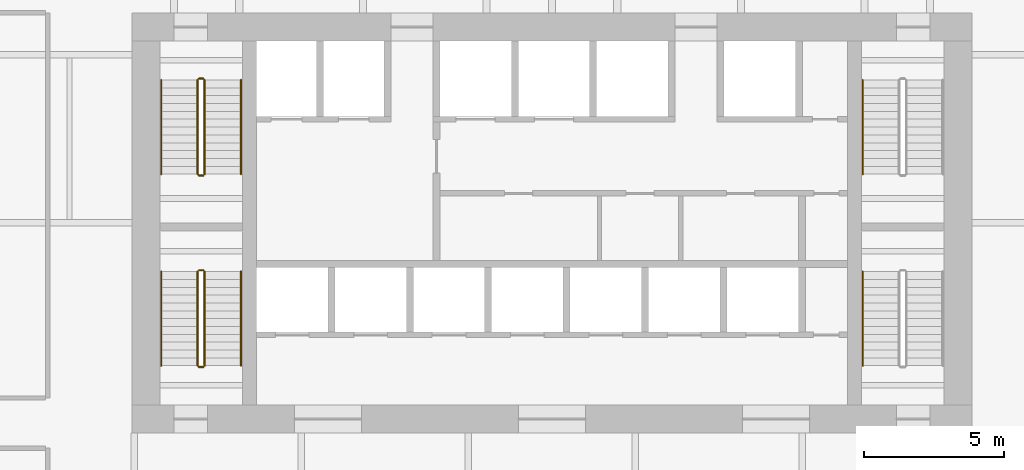
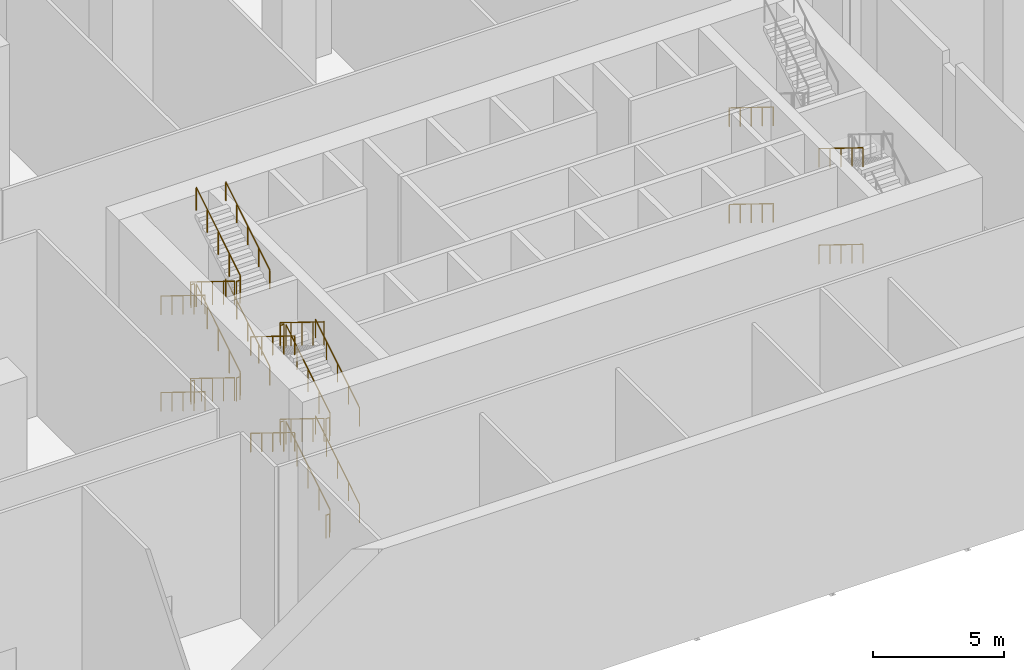
# One storey, part 20 of 23: 28 railings.
"""IFC4 building model written with IfcOpenShell, lengths in metres."""

from ifc_helpers import new_model, si_unit, direction, frame, origin, origin_2d, place, context, subcontext, project, spatial, circle, extrude, material, type_object, element, save


model = new_model("IFC4")

# Units and contexts
model_context = context("Model", 3, precision=1e-05, world=origin(), true_north=direction((0.0, 1.0)))
body_context = subcontext(model_context, "Body", "Model", "MODEL_VIEW")
ifc_project = project(units=[si_unit("LENGTHUNIT", "METRE"), si_unit("AREAUNIT", "SQUARE_METRE"), si_unit("VOLUMEUNIT", "CUBIC_METRE"), si_unit("PLANEANGLEUNIT", "RADIAN"), si_unit("MASSUNIT", "GRAM", prefix="KILO")], contexts=[model_context])

# Site, building, storey
site_placement = place(None, origin())
site = spatial("IfcSite", under=ifc_project, at=site_placement, CompositionType="ELEMENT")
building_placement = place(site_placement, origin())
building = spatial("IfcBuilding", under=site, at=building_placement, Name="Isthmus Gate Tower", CompositionType="ELEMENT")
storey_placement = place(building_placement, frame((0.0, 0.0, 9.0)))
storey = spatial("IfcBuildingStorey", under=building, at=storey_placement, Name="L01", CompositionType="ELEMENT", Elevation=9.0)

# Railings
ifc_material_1 = material(Name="Stainless steel balustrade", Category="steel")
railing_type_1 = type_object("IfcRailingType", Name="STAIR GUARD 1100", PredefinedType="GUARDRAIL", material=ifc_material_1)
railing_1_placement = place(storey_placement, frame((-12.64990234375, 12.60009765625, 0.173095703125)))
element("IfcRailing", 1, at=railing_1_placement, inside=storey, type_object=railing_type_1, Name="L01 ST1 stair guard 1", PredefinedType="GUARDRAIL", context=body_context, shape_type="SweptSolid", body=[
    extrude(circle(Radius=0.02392578125, at=origin_2d()), frame((0.0, 0.0, 1.076171875), z_axis=(0.0, -0.850623216509, 0.525775754039), x_axis=(1.0, 0.0, 0.0)), (0.0, 0.0, 1.0), 3.9501953125),
    extrude(circle(Radius=0.02099609375, at=origin_2d()), origin(), (0.0, 0.0, 1.0), 1.052001953125),
    extrude(circle(Radius=0.02099609375, at=origin_2d()), frame((0.0, -0.840087890625, 0.519287109375)), (0.0, 0.0, 1.0), 1.052001953125),
    extrude(circle(Radius=0.02099609375, at=origin_2d()), frame((0.0, -1.68017578125, 1.03857421875)), (0.0, 0.0, 1.0), 1.052001953125),
    extrude(circle(Radius=0.02099609375, at=origin_2d()), frame((0.0, -2.52001953125, 1.5576171875)), (0.0, 0.0, 1.0), 1.052001953125),
    extrude(circle(Radius=0.02099609375, at=origin_2d()), frame((0.0, -3.360107421875, 2.076904296875)), (0.0, 0.0, 1.0), 1.052001953125),
])
railing_2_placement = place(storey_placement, frame((-12.60009765625, 9.18994140625, 2.25)))
element("IfcRailing", 2, at=railing_2_placement, inside=storey, type_object=railing_type_1, Name="L01 ST1 stair guard 2", PredefinedType="GUARDRAIL", context=body_context, shape_type="SweptSolid", body=[
    extrude(circle(Radius=0.02392578125, at=origin_2d()), frame((0.0, 0.0, 1.076171875), z_axis=(1.0, 0.0, 0.0), x_axis=(0.0, 1.0, 0.0)), (0.0, 0.0, 1.0), 0.150146484375),
    extrude(circle(Radius=0.02099609375, at=origin_2d()), origin(), (0.0, 0.0, 1.0), 1.052001953125),
    extrude(circle(Radius=0.02099609375, at=origin_2d()), frame((0.150146484375, 0.0, 0.0)), (0.0, 0.0, 1.0), 1.052001953125),
])
railing_3_placement = place(storey_placement, frame((-12.39990234375, 9.239990234375, 2.423095703125)))
element("IfcRailing", 3, at=railing_3_placement, inside=storey, type_object=railing_type_1, Name="L01 ST1 stair guard 3", PredefinedType="GUARDRAIL", context=body_context, shape_type="SweptSolid", body=[
    extrude(circle(Radius=0.02392578125, at=origin_2d()), frame((0.0, 0.0, 1.076171875), z_axis=(0.0, 0.850623216509, 0.525775754039), x_axis=(-1.0, 0.0, 0.0)), (0.0, 0.0, 1.0), 3.9501953125),
    extrude(circle(Radius=0.02099609375, at=origin_2d()), origin(), (0.0, 0.0, 1.0), 1.052001953125),
    extrude(circle(Radius=0.02099609375, at=origin_2d()), frame((0.0, 0.840087890625, 0.519287109375)), (0.0, 0.0, 1.0), 1.052001953125),
    extrude(circle(Radius=0.02099609375, at=origin_2d()), frame((0.0, 1.68017578125, 1.03857421875)), (0.0, 0.0, 1.0), 1.052001953125),
    extrude(circle(Radius=0.02099609375, at=origin_2d()), frame((0.0, 2.52001953125, 1.5576171875)), (0.0, 0.0, 1.0), 1.052001953125),
    extrude(circle(Radius=0.02099609375, at=origin_2d()), frame((0.0, 3.360107421875, 2.076904296875)), (0.0, 0.0, 1.0), 1.052001953125),
])
railing_4_placement = place(storey_placement, frame((-12.60009765625, 12.64990234375, 4.5)))
element("IfcRailing", 4, at=railing_4_placement, inside=storey, type_object=railing_type_1, Name="L01 ST1 stair guard 4", PredefinedType="GUARDRAIL", context=body_context, shape_type="SweptSolid", body=[
    extrude(circle(Radius=0.02392578125, at=origin_2d()), frame((0.0, 0.0, 1.076171875), z_axis=(1.0, 0.0, 0.0), x_axis=(0.0, 1.0, 0.0)), (0.0, 0.0, 1.0), 0.150146484375),
    extrude(circle(Radius=0.02099609375, at=origin_2d()), origin(), (0.0, 0.0, 1.0), 1.052001953125),
    extrude(circle(Radius=0.02099609375, at=origin_2d()), frame((0.150146484375, 0.0, 0.0)), (0.0, 0.0, 1.0), 1.052001953125),
])
railing_5_placement = place(storey_placement, frame((-12.64990234375, 12.60009765625, 4.673095703125)))
element("IfcRailing", 5, at=railing_5_placement, inside=storey, type_object=railing_type_1, Name="L01 ST1 stair guard 5", PredefinedType="GUARDRAIL", context=body_context, shape_type="SweptSolid", body=[
    extrude(circle(Radius=0.02392578125, at=origin_2d()), frame((0.0, 0.0, 1.076171875), z_axis=(0.0, -0.850623216509, 0.525775754039), x_axis=(1.0, 0.0, 0.0)), (0.0, 0.0, 1.0), 3.9501953125),
    extrude(circle(Radius=0.02099609375, at=origin_2d()), origin(), (0.0, 0.0, 1.0), 1.052001953125),
    extrude(circle(Radius=0.02099609375, at=origin_2d()), frame((0.0, -0.840087890625, 0.519287109375)), (0.0, 0.0, 1.0), 1.052001953125),
    extrude(circle(Radius=0.02099609375, at=origin_2d()), frame((0.0, -1.68017578125, 1.03857421875)), (0.0, 0.0, 1.0), 1.052001953125),
    extrude(circle(Radius=0.02099609375, at=origin_2d()), frame((0.0, -2.52001953125, 1.5576171875)), (0.0, 0.0, 1.0), 1.052001953125),
    extrude(circle(Radius=0.02099609375, at=origin_2d()), frame((0.0, -3.360107421875, 2.076904296875)), (0.0, 0.0, 1.0), 1.052001953125),
])
railing_6_placement = place(storey_placement, frame((-12.60009765625, 9.18994140625, 6.75)))
element("IfcRailing", 6, at=railing_6_placement, inside=storey, type_object=railing_type_1, Name="L01 ST1 stair guard 6", PredefinedType="GUARDRAIL", context=body_context, shape_type="SweptSolid", body=[
    extrude(circle(Radius=0.02392578125, at=origin_2d()), frame((0.0, 0.0, 1.076171875), z_axis=(1.0, 0.0, 0.0), x_axis=(0.0, 1.0, 0.0)), (0.0, 0.0, 1.0), 0.150146484375),
    extrude(circle(Radius=0.02099609375, at=origin_2d()), origin(), (0.0, 0.0, 1.0), 1.052001953125),
    extrude(circle(Radius=0.02099609375, at=origin_2d()), frame((0.150146484375, 0.0, 0.0)), (0.0, 0.0, 1.0), 1.052001953125),
])
railing_7_placement = place(storey_placement, frame((-12.39990234375, 9.239990234375, 6.923095703125)))
element("IfcRailing", 7, at=railing_7_placement, inside=storey, type_object=railing_type_1, Name="L01 ST1 stair guard 7", PredefinedType="GUARDRAIL", context=body_context, shape_type="SweptSolid", body=[
    extrude(circle(Radius=0.02392578125, at=origin_2d()), frame((0.0, 0.0, 1.076171875), z_axis=(0.0, 0.850623216509, 0.525775754039), x_axis=(-1.0, 0.0, 0.0)), (0.0, 0.0, 1.0), 3.9501953125),
    extrude(circle(Radius=0.02099609375, at=origin_2d()), origin(), (0.0, 0.0, 1.0), 1.052001953125),
    extrude(circle(Radius=0.02099609375, at=origin_2d()), frame((0.0, 0.840087890625, 0.519287109375)), (0.0, 0.0, 1.0), 1.052001953125),
    extrude(circle(Radius=0.02099609375, at=origin_2d()), frame((0.0, 1.68017578125, 1.03857421875)), (0.0, 0.0, 1.0), 1.052001953125),
    extrude(circle(Radius=0.02099609375, at=origin_2d()), frame((0.0, 2.52001953125, 1.5576171875)), (0.0, 0.0, 1.0), 1.052001953125),
    extrude(circle(Radius=0.02099609375, at=origin_2d()), frame((0.0, 3.360107421875, 2.076904296875)), (0.0, 0.0, 1.0), 1.052001953125),
])
railing_8_placement = place(storey_placement, frame((-12.60009765625, 12.64990234375, 0.0)))
element("IfcRailing", 8, at=railing_8_placement, inside=storey, type_object=railing_type_1, Name="L01 ST1 stair guard 8", PredefinedType="GUARDRAIL", context=body_context, shape_type="SweptSolid", body=[
    extrude(circle(Radius=0.02392578125, at=origin_2d()), frame((0.0, 0.0, 1.076171875), z_axis=(1.0, 0.0, 0.0), x_axis=(0.0, 1.0, 0.0)), (0.0, 0.0, 1.0), 0.150146484375),
    extrude(circle(Radius=0.02099609375, at=origin_2d()), origin(), (0.0, 0.0, 1.0), 1.052001953125),
    extrude(circle(Radius=0.02099609375, at=origin_2d()), frame((0.150146484375, 0.0, 0.0)), (0.0, 0.0, 1.0), 1.052001953125),
])
railing_9_placement = place(storey_placement, frame((-12.39990234375, 2.39990234375, 0.173095703125)))
element("IfcRailing", 9, at=railing_9_placement, inside=storey, type_object=railing_type_1, Name="L01 ST7 stair guard 1", PredefinedType="GUARDRAIL", context=body_context, shape_type="SweptSolid", body=[
    extrude(circle(Radius=0.02392578125, at=origin_2d()), frame((0.0, 0.0, 1.076171875), z_axis=(0.0, 0.850623216509, 0.525775754039), x_axis=(-1.0, 0.0, 0.0)), (0.0, 0.0, 1.0), 3.9501953125),
    extrude(circle(Radius=0.02099609375, at=origin_2d()), origin(), (0.0, 0.0, 1.0), 1.052001953125),
    extrude(circle(Radius=0.02099609375, at=origin_2d()), frame((0.0, 0.840087890625, 0.519287109375)), (0.0, 0.0, 1.0), 1.052001953125),
    extrude(circle(Radius=0.02099609375, at=origin_2d()), frame((0.0, 1.68017578125, 1.03857421875)), (0.0, 0.0, 1.0), 1.052001953125),
    extrude(circle(Radius=0.02099609375, at=origin_2d()), frame((0.0, 2.52001953125, 1.5576171875)), (0.0, 0.0, 1.0), 1.052001953125),
    extrude(circle(Radius=0.02099609375, at=origin_2d()), frame((0.0, 3.360107421875, 2.076904296875)), (0.0, 0.0, 1.0), 1.052001953125),
])
railing_10_placement = place(storey_placement, frame((-12.449951171875, 5.81005859375, 2.25)))
element("IfcRailing", 10, at=railing_10_placement, inside=storey, type_object=railing_type_1, Name="L01 ST7 stair guard 2", PredefinedType="GUARDRAIL", context=body_context, shape_type="SweptSolid", body=[
    extrude(circle(Radius=0.02392578125, at=origin_2d()), frame((0.0, 0.0, 1.076171875), z_axis=(-1.0, 0.0, 0.0), x_axis=(0.0, -1.0, 0.0)), (0.0, 0.0, 1.0), 0.150146484375),
    extrude(circle(Radius=0.02099609375, at=origin_2d()), origin(), (0.0, 0.0, 1.0), 1.052001953125),
    extrude(circle(Radius=0.02099609375, at=origin_2d()), frame((-0.150146484375, 0.0, 0.0)), (0.0, 0.0, 1.0), 1.052001953125),
])
railing_11_placement = place(storey_placement, frame((-12.64990234375, 5.760009765625, 2.423095703125)))
element("IfcRailing", 11, at=railing_11_placement, inside=storey, type_object=railing_type_1, Name="L01 ST7 stair guard 3", PredefinedType="GUARDRAIL", context=body_context, shape_type="SweptSolid", body=[
    extrude(circle(Radius=0.02392578125, at=origin_2d()), frame((0.0, 0.0, 1.076171875), z_axis=(0.0, -0.850623216509, 0.525775754039), x_axis=(1.0, 0.0, 0.0)), (0.0, 0.0, 1.0), 3.9501953125),
    extrude(circle(Radius=0.02099609375, at=origin_2d()), origin(), (0.0, 0.0, 1.0), 1.052001953125),
    extrude(circle(Radius=0.02099609375, at=origin_2d()), frame((0.0, -0.840087890625, 0.519287109375)), (0.0, 0.0, 1.0), 1.052001953125),
    extrude(circle(Radius=0.02099609375, at=origin_2d()), frame((0.0, -1.68017578125, 1.03857421875)), (0.0, 0.0, 1.0), 1.052001953125),
    extrude(circle(Radius=0.02099609375, at=origin_2d()), frame((0.0, -2.52001953125, 1.5576171875)), (0.0, 0.0, 1.0), 1.052001953125),
    extrude(circle(Radius=0.02099609375, at=origin_2d()), frame((0.0, -3.360107421875, 2.076904296875)), (0.0, 0.0, 1.0), 1.052001953125),
])
railing_12_placement = place(storey_placement, frame((-12.449951171875, 2.35009765625, 4.5)))
element("IfcRailing", 12, at=railing_12_placement, inside=storey, type_object=railing_type_1, Name="L01 ST7 stair guard 4", PredefinedType="GUARDRAIL", context=body_context, shape_type="SweptSolid", body=[
    extrude(circle(Radius=0.02392578125, at=origin_2d()), frame((0.0, 0.0, 1.076171875), z_axis=(-1.0, 0.0, 0.0), x_axis=(0.0, -1.0, 0.0)), (0.0, 0.0, 1.0), 0.150146484375),
    extrude(circle(Radius=0.02099609375, at=origin_2d()), origin(), (0.0, 0.0, 1.0), 1.052001953125),
    extrude(circle(Radius=0.02099609375, at=origin_2d()), frame((-0.150146484375, 0.0, 0.0)), (0.0, 0.0, 1.0), 1.052001953125),
])
railing_13_placement = place(storey_placement, frame((-12.39990234375, 2.39990234375, 4.673095703125)))
element("IfcRailing", 13, at=railing_13_placement, inside=storey, type_object=railing_type_1, Name="L01 ST7 stair guard 5", PredefinedType="GUARDRAIL", context=body_context, shape_type="SweptSolid", body=[
    extrude(circle(Radius=0.02392578125, at=origin_2d()), frame((0.0, 0.0, 1.076171875), z_axis=(0.0, 0.850623216509, 0.525775754039), x_axis=(-1.0, 0.0, 0.0)), (0.0, 0.0, 1.0), 3.9501953125),
    extrude(circle(Radius=0.02099609375, at=origin_2d()), origin(), (0.0, 0.0, 1.0), 1.052001953125),
    extrude(circle(Radius=0.02099609375, at=origin_2d()), frame((0.0, 0.840087890625, 0.519287109375)), (0.0, 0.0, 1.0), 1.052001953125),
    extrude(circle(Radius=0.02099609375, at=origin_2d()), frame((0.0, 1.68017578125, 1.03857421875)), (0.0, 0.0, 1.0), 1.052001953125),
    extrude(circle(Radius=0.02099609375, at=origin_2d()), frame((0.0, 2.52001953125, 1.5576171875)), (0.0, 0.0, 1.0), 1.052001953125),
    extrude(circle(Radius=0.02099609375, at=origin_2d()), frame((0.0, 3.360107421875, 2.076904296875)), (0.0, 0.0, 1.0), 1.052001953125),
])
railing_14_placement = place(storey_placement, frame((-12.449951171875, 5.81005859375, 6.75)))
element("IfcRailing", 14, at=railing_14_placement, inside=storey, type_object=railing_type_1, Name="L01 ST7 stair guard 6", PredefinedType="GUARDRAIL", context=body_context, shape_type="SweptSolid", body=[
    extrude(circle(Radius=0.02392578125, at=origin_2d()), frame((0.0, 0.0, 1.076171875), z_axis=(-1.0, 0.0, 0.0), x_axis=(0.0, -1.0, 0.0)), (0.0, 0.0, 1.0), 0.150146484375),
    extrude(circle(Radius=0.02099609375, at=origin_2d()), origin(), (0.0, 0.0, 1.0), 1.052001953125),
    extrude(circle(Radius=0.02099609375, at=origin_2d()), frame((-0.150146484375, 0.0, 0.0)), (0.0, 0.0, 1.0), 1.052001953125),
])
railing_15_placement = place(storey_placement, frame((-12.64990234375, 5.760009765625, 6.923095703125)))
element("IfcRailing", 15, at=railing_15_placement, inside=storey, type_object=railing_type_1, Name="L01 ST7 stair guard 7", PredefinedType="GUARDRAIL", context=body_context, shape_type="SweptSolid", body=[
    extrude(circle(Radius=0.02392578125, at=origin_2d()), frame((0.0, 0.0, 1.076171875), z_axis=(0.0, -0.850623216509, 0.525775754039), x_axis=(1.0, 0.0, 0.0)), (0.0, 0.0, 1.0), 3.9501953125),
    extrude(circle(Radius=0.02099609375, at=origin_2d()), origin(), (0.0, 0.0, 1.0), 1.052001953125),
    extrude(circle(Radius=0.02099609375, at=origin_2d()), frame((0.0, -0.840087890625, 0.519287109375)), (0.0, 0.0, 1.0), 1.052001953125),
    extrude(circle(Radius=0.02099609375, at=origin_2d()), frame((0.0, -1.68017578125, 1.03857421875)), (0.0, 0.0, 1.0), 1.052001953125),
    extrude(circle(Radius=0.02099609375, at=origin_2d()), frame((0.0, -2.52001953125, 1.5576171875)), (0.0, 0.0, 1.0), 1.052001953125),
    extrude(circle(Radius=0.02099609375, at=origin_2d()), frame((0.0, -3.360107421875, 2.076904296875)), (0.0, 0.0, 1.0), 1.052001953125),
])
railing_16_placement = place(storey_placement, frame((-12.449951171875, 2.35009765625, 0.0)))
element("IfcRailing", 16, at=railing_16_placement, inside=storey, type_object=railing_type_1, Name="L01 ST7 stair guard 8", PredefinedType="GUARDRAIL", context=body_context, shape_type="SweptSolid", body=[
    extrude(circle(Radius=0.02392578125, at=origin_2d()), frame((0.0, 0.0, 1.076171875), z_axis=(-1.0, 0.0, 0.0), x_axis=(0.0, -1.0, 0.0)), (0.0, 0.0, 1.0), 0.150146484375),
    extrude(circle(Radius=0.02099609375, at=origin_2d()), origin(), (0.0, 0.0, 1.0), 1.052001953125),
    extrude(circle(Radius=0.02099609375, at=origin_2d()), frame((-0.150146484375, 0.0, 0.0)), (0.0, 0.0, 1.0), 1.052001953125),
])
ifc_material_2 = material(Name="Stainless steel handrail", Category="steel")
railing_type_2 = type_object("IfcRailingType", Name="STAIR HANDRAIL 900", PredefinedType="HANDRAIL", material=ifc_material_2)
railing_17_placement = place(storey_placement, frame((-13.949951171875, 12.60009765625, 0.173095703125)))
element("IfcRailing", 17, at=railing_17_placement, inside=storey, type_object=railing_type_2, Name="L01 ST1 stair handrail 1", PredefinedType="HANDRAIL", context=body_context, shape_type="SweptSolid", body=[
    extrude(circle(Radius=0.02392578125, at=origin_2d()), frame((0.0, 0.0, 0.8759765625), z_axis=(0.0, -0.850623216509, 0.525775754039), x_axis=(1.0, 0.0, 0.0)), (0.0, 0.0, 1.0), 3.9501953125),
    extrude(circle(Radius=0.02099609375, at=origin_2d()), origin(), (0.0, 0.0, 1.0), 0.851806640625),
    extrude(circle(Radius=0.02099609375, at=origin_2d()), frame((0.0, -0.840087890625, 0.519287109375)), (0.0, 0.0, 1.0), 0.851806640625),
    extrude(circle(Radius=0.02099609375, at=origin_2d()), frame((0.0, -1.68017578125, 1.03857421875)), (0.0, 0.0, 1.0), 0.851806640625),
    extrude(circle(Radius=0.02099609375, at=origin_2d()), frame((0.0, -2.52001953125, 1.5576171875)), (0.0, 0.0, 1.0), 0.851806640625),
    extrude(circle(Radius=0.02099609375, at=origin_2d()), frame((0.0, -3.360107421875, 2.076904296875)), (0.0, 0.0, 1.0), 0.851806640625),
])
railing_18_placement = place(storey_placement, frame((-11.10009765625, 9.239990234375, 2.423095703125)))
element("IfcRailing", 18, at=railing_18_placement, inside=storey, type_object=railing_type_2, Name="L01 ST1 stair handrail 2", PredefinedType="HANDRAIL", context=body_context, shape_type="SweptSolid", body=[
    extrude(circle(Radius=0.02392578125, at=origin_2d()), frame((0.0, 0.0, 0.8759765625), z_axis=(0.0, 0.850623216509, 0.525775754039), x_axis=(-1.0, 0.0, 0.0)), (0.0, 0.0, 1.0), 3.9501953125),
    extrude(circle(Radius=0.02099609375, at=origin_2d()), origin(), (0.0, 0.0, 1.0), 0.851806640625),
    extrude(circle(Radius=0.02099609375, at=origin_2d()), frame((0.0, 0.840087890625, 0.519287109375)), (0.0, 0.0, 1.0), 0.851806640625),
    extrude(circle(Radius=0.02099609375, at=origin_2d()), frame((0.0, 1.68017578125, 1.03857421875)), (0.0, 0.0, 1.0), 0.851806640625),
    extrude(circle(Radius=0.02099609375, at=origin_2d()), frame((0.0, 2.52001953125, 1.5576171875)), (0.0, 0.0, 1.0), 0.851806640625),
    extrude(circle(Radius=0.02099609375, at=origin_2d()), frame((0.0, 3.360107421875, 2.076904296875)), (0.0, 0.0, 1.0), 0.851806640625),
])
railing_19_placement = place(storey_placement, frame((-13.949951171875, 12.60009765625, 4.673095703125)))
element("IfcRailing", 19, at=railing_19_placement, inside=storey, type_object=railing_type_2, Name="L01 ST1 stair handrail 3", PredefinedType="HANDRAIL", context=body_context, shape_type="SweptSolid", body=[
    extrude(circle(Radius=0.02392578125, at=origin_2d()), frame((0.0, 0.0, 0.8759765625), z_axis=(0.0, -0.850623216509, 0.525775754039), x_axis=(1.0, 0.0, 0.0)), (0.0, 0.0, 1.0), 3.9501953125),
    extrude(circle(Radius=0.02099609375, at=origin_2d()), origin(), (0.0, 0.0, 1.0), 0.851806640625),
    extrude(circle(Radius=0.02099609375, at=origin_2d()), frame((0.0, -0.840087890625, 0.519287109375)), (0.0, 0.0, 1.0), 0.851806640625),
    extrude(circle(Radius=0.02099609375, at=origin_2d()), frame((0.0, -1.68017578125, 1.03857421875)), (0.0, 0.0, 1.0), 0.851806640625),
    extrude(circle(Radius=0.02099609375, at=origin_2d()), frame((0.0, -2.52001953125, 1.5576171875)), (0.0, 0.0, 1.0), 0.851806640625),
    extrude(circle(Radius=0.02099609375, at=origin_2d()), frame((0.0, -3.360107421875, 2.076904296875)), (0.0, 0.0, 1.0), 0.851806640625),
])
railing_20_placement = place(storey_placement, frame((-11.10009765625, 9.239990234375, 6.923095703125)))
element("IfcRailing", 20, at=railing_20_placement, inside=storey, type_object=railing_type_2, Name="L01 ST1 stair handrail 4", PredefinedType="HANDRAIL", context=body_context, shape_type="SweptSolid", body=[
    extrude(circle(Radius=0.02392578125, at=origin_2d()), frame((0.0, 0.0, 0.8759765625), z_axis=(0.0, 0.850623216509, 0.525775754039), x_axis=(-1.0, 0.0, 0.0)), (0.0, 0.0, 1.0), 3.9501953125),
    extrude(circle(Radius=0.02099609375, at=origin_2d()), origin(), (0.0, 0.0, 1.0), 0.851806640625),
    extrude(circle(Radius=0.02099609375, at=origin_2d()), frame((0.0, 0.840087890625, 0.519287109375)), (0.0, 0.0, 1.0), 0.851806640625),
    extrude(circle(Radius=0.02099609375, at=origin_2d()), frame((0.0, 1.68017578125, 1.03857421875)), (0.0, 0.0, 1.0), 0.851806640625),
    extrude(circle(Radius=0.02099609375, at=origin_2d()), frame((0.0, 2.52001953125, 1.5576171875)), (0.0, 0.0, 1.0), 0.851806640625),
    extrude(circle(Radius=0.02099609375, at=origin_2d()), frame((0.0, 3.360107421875, 2.076904296875)), (0.0, 0.0, 1.0), 0.851806640625),
])
for number, where, name in (
    (21, (11.10009765625, 12.60009765625, 0.173095703125), "L01 ST2 stair handrail 1"),
    (22, (11.10009765625, 12.60009765625, 4.673095703125), "L01 ST2 stair handrail 3"),
):
    element("IfcRailing", number, at=place(storey_placement, frame(where)), inside=storey, type_object=railing_type_2, Name=name, PredefinedType="HANDRAIL", context=body_context, shape_type="SweptSolid", body=[
        extrude(circle(Radius=0.02392578125, at=origin_2d()), frame((0.0, 0.0, 0.8759765625), z_axis=(0.0, -0.850623216509, 0.525775754039), x_axis=(1.0, 0.0, 0.0)), (0.0, 0.0, 1.0), 3.9501953125),
        extrude(circle(Radius=0.02099609375, at=origin_2d()), origin(), (0.0, 0.0, 1.0), 0.851806640625),
        extrude(circle(Radius=0.02099609375, at=origin_2d()), frame((0.0, -0.840087890625, 0.519287109375)), (0.0, 0.0, 1.0), 0.851806640625),
        extrude(circle(Radius=0.02099609375, at=origin_2d()), frame((0.0, -1.68017578125, 1.03857421875)), (0.0, 0.0, 1.0), 0.851806640625),
        extrude(circle(Radius=0.02099609375, at=origin_2d()), frame((0.0, -2.52001953125, 1.5576171875)), (0.0, 0.0, 1.0), 0.851806640625),
        extrude(circle(Radius=0.02099609375, at=origin_2d()), frame((0.0, -3.360107421875, 2.076904296875)), (0.0, 0.0, 1.0), 0.851806640625),
    ])
railing_21_placement = place(storey_placement, frame((-11.10009765625, 2.39990234375, 0.173095703125)))
element("IfcRailing", 23, at=railing_21_placement, inside=storey, type_object=railing_type_2, Name="L01 ST7 stair handrail 1", PredefinedType="HANDRAIL", context=body_context, shape_type="SweptSolid", body=[
    extrude(circle(Radius=0.02392578125, at=origin_2d()), frame((0.0, 0.0, 0.8759765625), z_axis=(0.0, 0.850623216509, 0.525775754039), x_axis=(-1.0, 0.0, 0.0)), (0.0, 0.0, 1.0), 3.9501953125),
    extrude(circle(Radius=0.02099609375, at=origin_2d()), origin(), (0.0, 0.0, 1.0), 0.851806640625),
    extrude(circle(Radius=0.02099609375, at=origin_2d()), frame((0.0, 0.840087890625, 0.519287109375)), (0.0, 0.0, 1.0), 0.851806640625),
    extrude(circle(Radius=0.02099609375, at=origin_2d()), frame((0.0, 1.68017578125, 1.03857421875)), (0.0, 0.0, 1.0), 0.851806640625),
    extrude(circle(Radius=0.02099609375, at=origin_2d()), frame((0.0, 2.52001953125, 1.5576171875)), (0.0, 0.0, 1.0), 0.851806640625),
    extrude(circle(Radius=0.02099609375, at=origin_2d()), frame((0.0, 3.360107421875, 2.076904296875)), (0.0, 0.0, 1.0), 0.851806640625),
])
railing_22_placement = place(storey_placement, frame((-13.949951171875, 5.760009765625, 2.423095703125)))
element("IfcRailing", 24, at=railing_22_placement, inside=storey, type_object=railing_type_2, Name="L01 ST7 stair handrail 2", PredefinedType="HANDRAIL", context=body_context, shape_type="SweptSolid", body=[
    extrude(circle(Radius=0.02392578125, at=origin_2d()), frame((0.0, 0.0, 0.8759765625), z_axis=(0.0, -0.850623216509, 0.525775754039), x_axis=(1.0, 0.0, 0.0)), (0.0, 0.0, 1.0), 3.9501953125),
    extrude(circle(Radius=0.02099609375, at=origin_2d()), origin(), (0.0, 0.0, 1.0), 0.851806640625),
    extrude(circle(Radius=0.02099609375, at=origin_2d()), frame((0.0, -0.840087890625, 0.519287109375)), (0.0, 0.0, 1.0), 0.851806640625),
    extrude(circle(Radius=0.02099609375, at=origin_2d()), frame((0.0, -1.68017578125, 1.03857421875)), (0.0, 0.0, 1.0), 0.851806640625),
    extrude(circle(Radius=0.02099609375, at=origin_2d()), frame((0.0, -2.52001953125, 1.5576171875)), (0.0, 0.0, 1.0), 0.851806640625),
    extrude(circle(Radius=0.02099609375, at=origin_2d()), frame((0.0, -3.360107421875, 2.076904296875)), (0.0, 0.0, 1.0), 0.851806640625),
])
railing_23_placement = place(storey_placement, frame((-11.10009765625, 2.39990234375, 4.673095703125)))
element("IfcRailing", 25, at=railing_23_placement, inside=storey, type_object=railing_type_2, Name="L01 ST7 stair handrail 3", PredefinedType="HANDRAIL", context=body_context, shape_type="SweptSolid", body=[
    extrude(circle(Radius=0.02392578125, at=origin_2d()), frame((0.0, 0.0, 0.8759765625), z_axis=(0.0, 0.850623216509, 0.525775754039), x_axis=(-1.0, 0.0, 0.0)), (0.0, 0.0, 1.0), 3.9501953125),
    extrude(circle(Radius=0.02099609375, at=origin_2d()), origin(), (0.0, 0.0, 1.0), 0.851806640625),
    extrude(circle(Radius=0.02099609375, at=origin_2d()), frame((0.0, 0.840087890625, 0.519287109375)), (0.0, 0.0, 1.0), 0.851806640625),
    extrude(circle(Radius=0.02099609375, at=origin_2d()), frame((0.0, 1.68017578125, 1.03857421875)), (0.0, 0.0, 1.0), 0.851806640625),
    extrude(circle(Radius=0.02099609375, at=origin_2d()), frame((0.0, 2.52001953125, 1.5576171875)), (0.0, 0.0, 1.0), 0.851806640625),
    extrude(circle(Radius=0.02099609375, at=origin_2d()), frame((0.0, 3.360107421875, 2.076904296875)), (0.0, 0.0, 1.0), 0.851806640625),
])
for number, where, name in (
    (26, (-13.949951171875, 5.760009765625, 6.923095703125), "L01 ST7 stair handrail 4"),
    (27, (11.10009765625, 5.760009765625, 2.423095703125), "L01 ST8 stair handrail 2"),
    (28, (11.10009765625, 5.760009765625, 6.923095703125), "L01 ST8 stair handrail 4"),
):
    element("IfcRailing", number, at=place(storey_placement, frame(where)), inside=storey, type_object=railing_type_2, Name=name, PredefinedType="HANDRAIL", context=body_context, shape_type="SweptSolid", body=[
        extrude(circle(Radius=0.02392578125, at=origin_2d()), frame((0.0, 0.0, 0.8759765625), z_axis=(0.0, -0.850623216509, 0.525775754039), x_axis=(1.0, 0.0, 0.0)), (0.0, 0.0, 1.0), 3.9501953125),
        extrude(circle(Radius=0.02099609375, at=origin_2d()), origin(), (0.0, 0.0, 1.0), 0.851806640625),
        extrude(circle(Radius=0.02099609375, at=origin_2d()), frame((0.0, -0.840087890625, 0.519287109375)), (0.0, 0.0, 1.0), 0.851806640625),
        extrude(circle(Radius=0.02099609375, at=origin_2d()), frame((0.0, -1.68017578125, 1.03857421875)), (0.0, 0.0, 1.0), 0.851806640625),
        extrude(circle(Radius=0.02099609375, at=origin_2d()), frame((0.0, -2.52001953125, 1.5576171875)), (0.0, 0.0, 1.0), 0.851806640625),
        extrude(circle(Radius=0.02099609375, at=origin_2d()), frame((0.0, -3.360107421875, 2.076904296875)), (0.0, 0.0, 1.0), 0.851806640625),
    ])

save(model, "model.ifc")
